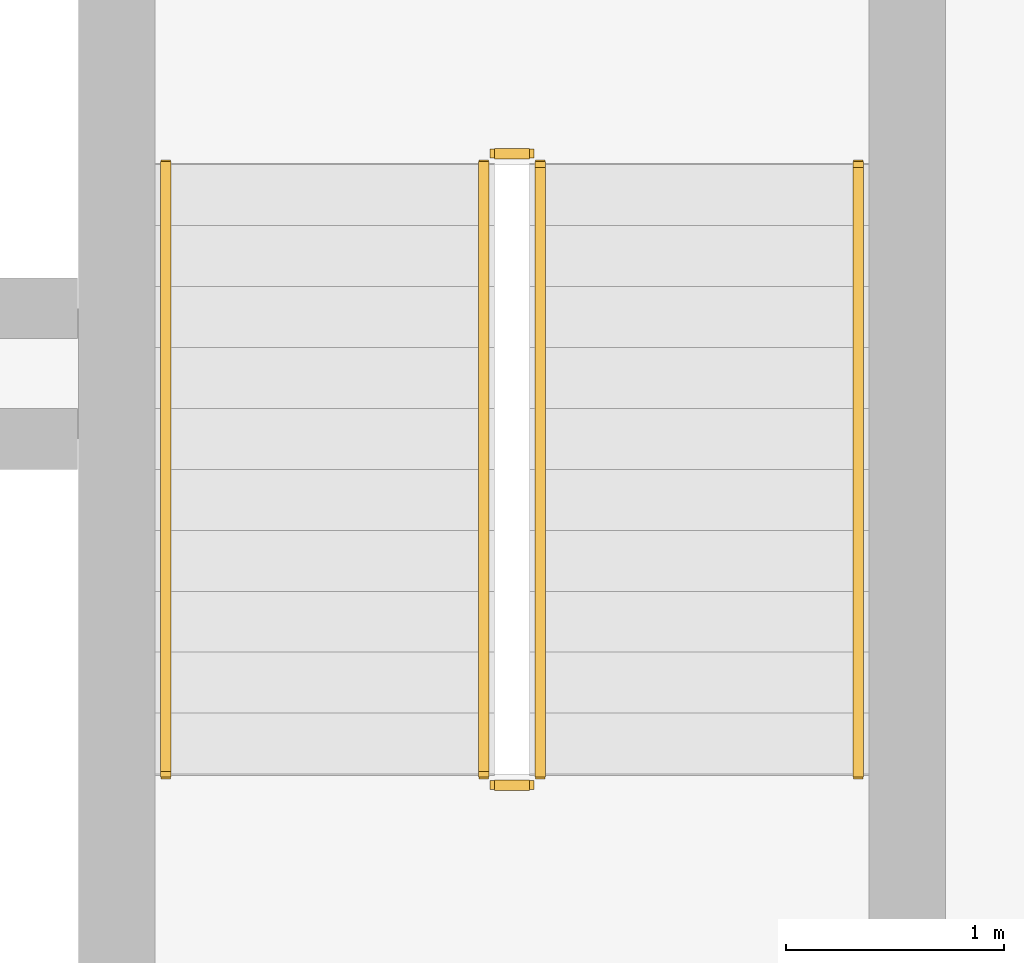
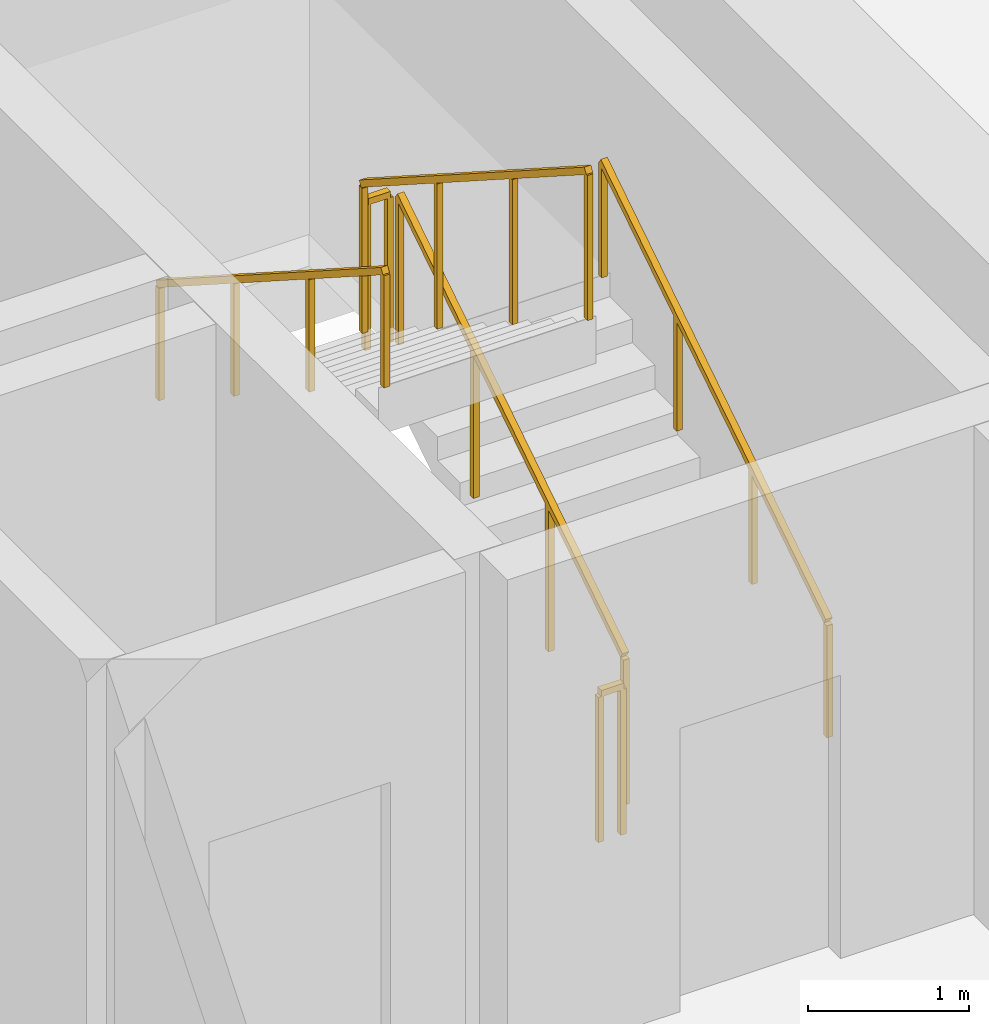
# One storey, part 11 of 11: 6 railings.
"""IFC4 building model written with IfcOpenShell, lengths in metres."""

from ifc_helpers import new_model, si_unit, direction, frame, origin, origin_2d, place, context, subcontext, project, spatial, rectangle, extrude, material, type_object, element, save


model = new_model("IFC4")

# Units and contexts
model_context = context("Model", 3, precision=1e-05, world=origin(), true_north=direction((0.0, 1.0)))
body_context = subcontext(model_context, "Body", "Model", "MODEL_VIEW")
ifc_project = project(units=[si_unit("LENGTHUNIT", "METRE"), si_unit("AREAUNIT", "SQUARE_METRE"), si_unit("VOLUMEUNIT", "CUBIC_METRE"), si_unit("PLANEANGLEUNIT", "RADIAN"), si_unit("MASSUNIT", "GRAM", prefix="KILO")], contexts=[model_context])

# Site, building, storey
site_placement = place(None, origin())
site = spatial("IfcSite", under=ifc_project, at=site_placement, CompositionType="ELEMENT")
building_placement = place(site_placement, origin())
building = spatial("IfcBuilding", under=site, at=building_placement, Name="Kaelvorn Grand Hotel", CompositionType="ELEMENT")
storey_placement = place(building_placement, frame((0.0, 0.0, 268.64990234375)))
storey = spatial("IfcBuildingStorey", under=building, at=storey_placement, Name="L66", CompositionType="ELEMENT", Elevation=268.64990234375)

# Railings
ifc_material = material(Name="Stainless Steel", Category="steel")
railing_type_1 = type_object("IfcRailingType", Name="RL-HANDRAIL-900", PredefinedType="HANDRAIL", material=ifc_material)
railing_1_placement = place(storey_placement, frame((66.550048828125, 41.760009765625, 0.1796875)))
element("IfcRailing", 1, at=railing_1_placement, inside=storey, type_object=railing_type_1, Name="L66 ST3 stair handrail 1", PredefinedType="HANDRAIL", context=body_context, shape_type="SweptSolid", body=[
    extrude(rectangle(XDim=0.048095703125, YDim=0.048095703125, at=origin_2d()), frame((0.0, 0.0, 0.8759765625), z_axis=(0.0, 0.841809871826, 0.539774156196), x_axis=(-1.0, 0.0, 0.0)), (0.0, 0.0, 1.0), 3.326171875),
    extrude(rectangle(XDim=0.0419921875, YDim=0.0419921875, at=origin_2d()), origin(), (0.0, 0.0, 1.0), 0.851806640625),
    extrude(rectangle(XDim=0.0419921875, YDim=0.0419921875, at=origin_2d()), frame((0.0, 0.933349609375, 0.598388671875)), (0.0, 0.0, 1.0), 0.851806640625),
    extrude(rectangle(XDim=0.0419921875, YDim=0.0419921875, at=origin_2d()), frame((0.0, 1.86669921875, 1.197021484375)), (0.0, 0.0, 1.0), 0.851806640625),
    extrude(rectangle(XDim=0.0419921875, YDim=0.0419921875, at=origin_2d()), frame((0.0, 2.800048828125, 1.79541015625)), (0.0, 0.0, 1.0), 0.851806640625),
])
railing_2_placement = place(storey_placement, frame((63.3701171875, 44.56005859375, 2.154541015625)))
element("IfcRailing", 2, at=railing_2_placement, inside=storey, type_object=railing_type_1, Name="L66 ST3 stair handrail 2", PredefinedType="HANDRAIL", context=body_context, shape_type="SweptSolid", body=[
    extrude(rectangle(XDim=0.048095703125, YDim=0.048095703125, at=origin_2d()), frame((0.0, 0.0, 0.8759765625), z_axis=(0.0, -0.841776520102, 0.539826166654), x_axis=(1.0, 0.0, 0.0)), (0.0, 0.0, 1.0), 3.326416015625),
    extrude(rectangle(XDim=0.0419921875, YDim=0.0419921875, at=origin_2d()), origin(), (0.0, 0.0, 1.0), 0.851806640625),
    extrude(rectangle(XDim=0.0419921875, YDim=0.0419921875, at=origin_2d()), frame((0.0, -0.933349609375, 0.5986328125)), (0.0, 0.0, 1.0), 0.851806640625),
    extrude(rectangle(XDim=0.0419921875, YDim=0.0419921875, at=origin_2d()), frame((0.0, -1.86669921875, 1.197021484375)), (0.0, 0.0, 1.0), 0.851806640625),
    extrude(rectangle(XDim=0.0419921875, YDim=0.0419921875, at=origin_2d()), frame((0.0, -2.800048828125, 1.795654296875)), (0.0, 0.0, 1.0), 0.851806640625),
])
railing_type_2 = type_object("IfcRailingType", Name="RL-STAIR-GUARD-1150", PredefinedType="BALUSTRADE", material=ifc_material)
railing_3_placement = place(storey_placement, frame((65.090087890625, 41.760009765625, 0.1796875)))
element("IfcRailing", 3, at=railing_3_placement, inside=storey, type_object=railing_type_2, Name="L66 ST3 stair guard 1", PredefinedType="BALUSTRADE", context=body_context, shape_type="SweptSolid", body=[
    extrude(rectangle(XDim=0.048095703125, YDim=0.048095703125, at=origin_2d()), frame((0.0, 0.0, 1.1259765625), z_axis=(0.0, 0.841809871826, 0.539774156196), x_axis=(-1.0, 0.0, 0.0)), (0.0, 0.0, 1.0), 3.326171875),
    extrude(rectangle(XDim=0.0419921875, YDim=0.0419921875, at=origin_2d()), origin(), (0.0, 0.0, 1.0), 1.101806640625),
    extrude(rectangle(XDim=0.0419921875, YDim=0.0419921875, at=origin_2d()), frame((0.0, 0.933349609375, 0.598388671875)), (0.0, 0.0, 1.0), 1.101806640625),
    extrude(rectangle(XDim=0.0419921875, YDim=0.0419921875, at=origin_2d()), frame((0.0, 1.86669921875, 1.197021484375)), (0.0, 0.0, 1.0), 1.101806640625),
    extrude(rectangle(XDim=0.0419921875, YDim=0.0419921875, at=origin_2d()), frame((0.0, 2.800048828125, 1.79541015625)), (0.0, 0.0, 1.0), 1.101806640625),
])
railing_4_placement = place(storey_placement, frame((65.0400390625, 44.610107421875, 1.97509765625)))
element("IfcRailing", 4, at=railing_4_placement, inside=storey, type_object=railing_type_2, Name="L66 ST3 stair guard 2", PredefinedType="BALUSTRADE", context=body_context, shape_type="SweptSolid", body=[
    extrude(rectangle(XDim=0.048095703125, YDim=0.048095703125, at=origin_2d()), frame((0.0, 0.0, 1.1259765625), z_axis=(-1.0, 0.0, 0.0), x_axis=(0.0, -1.0, 0.0)), (0.0, 0.0, 1.0), 0.16015625),
    extrude(rectangle(XDim=0.0419921875, YDim=0.0419921875, at=origin_2d()), origin(), (0.0, 0.0, 1.0), 1.101806640625),
    extrude(rectangle(XDim=0.0419921875, YDim=0.0419921875, at=origin_2d()), frame((-0.16015625, 0.0, 0.0)), (0.0, 0.0, 1.0), 1.101806640625),
])
railing_5_placement = place(storey_placement, frame((64.830078125, 44.56005859375, 2.154541015625)))
element("IfcRailing", 5, at=railing_5_placement, inside=storey, type_object=railing_type_2, Name="L66 ST3 stair guard 3", PredefinedType="BALUSTRADE", context=body_context, shape_type="SweptSolid", body=[
    extrude(rectangle(XDim=0.048095703125, YDim=0.048095703125, at=origin_2d()), frame((0.0, 0.0, 1.1259765625), z_axis=(0.0, -0.841776520102, 0.539826166654), x_axis=(1.0, 0.0, 0.0)), (0.0, 0.0, 1.0), 3.326416015625),
    extrude(rectangle(XDim=0.0419921875, YDim=0.0419921875, at=origin_2d()), origin(), (0.0, 0.0, 1.0), 1.101806640625),
    extrude(rectangle(XDim=0.0419921875, YDim=0.0419921875, at=origin_2d()), frame((0.0, -0.933349609375, 0.5986328125)), (0.0, 0.0, 1.0), 1.101806640625),
    extrude(rectangle(XDim=0.0419921875, YDim=0.0419921875, at=origin_2d()), frame((0.0, -1.86669921875, 1.197021484375)), (0.0, 0.0, 1.0), 1.101806640625),
    extrude(rectangle(XDim=0.0419921875, YDim=0.0419921875, at=origin_2d()), frame((0.0, -2.800048828125, 1.795654296875)), (0.0, 0.0, 1.0), 1.101806640625),
])
railing_6_placement = place(storey_placement, frame((65.0400390625, 41.7099609375, 0.0)))
element("IfcRailing", 6, at=railing_6_placement, inside=storey, type_object=railing_type_2, Name="L66 ST3 stair guard 4", PredefinedType="BALUSTRADE", context=body_context, shape_type="SweptSolid", body=[
    extrude(rectangle(XDim=0.048095703125, YDim=0.048095703125, at=origin_2d()), frame((0.0, 0.0, 1.1259765625), z_axis=(-1.0, 0.0, 0.0), x_axis=(0.0, -1.0, 0.0)), (0.0, 0.0, 1.0), 0.16015625),
    extrude(rectangle(XDim=0.0419921875, YDim=0.0419921875, at=origin_2d()), origin(), (0.0, 0.0, 1.0), 1.101806640625),
    extrude(rectangle(XDim=0.0419921875, YDim=0.0419921875, at=origin_2d()), frame((-0.16015625, 0.0, 0.0)), (0.0, 0.0, 1.0), 1.101806640625),
])

save(model, "model.ifc")
